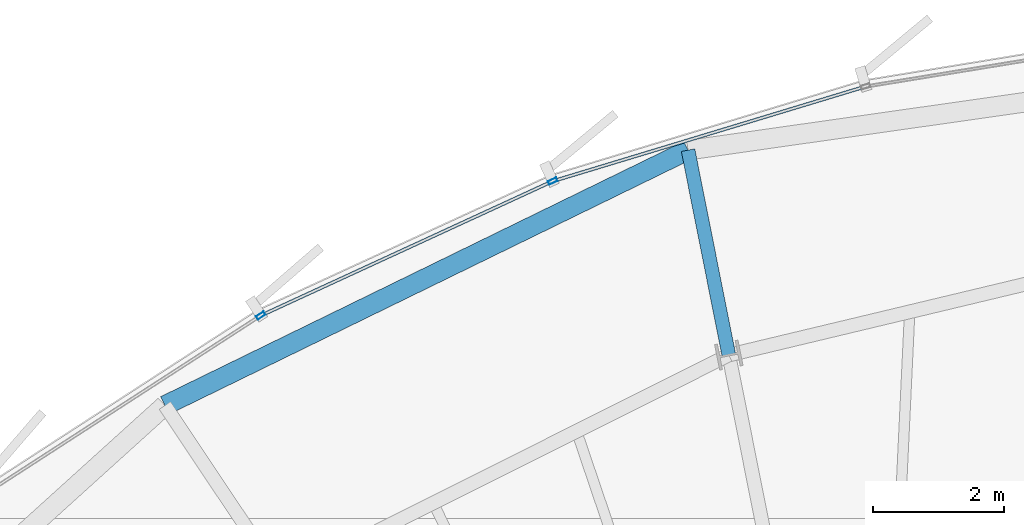
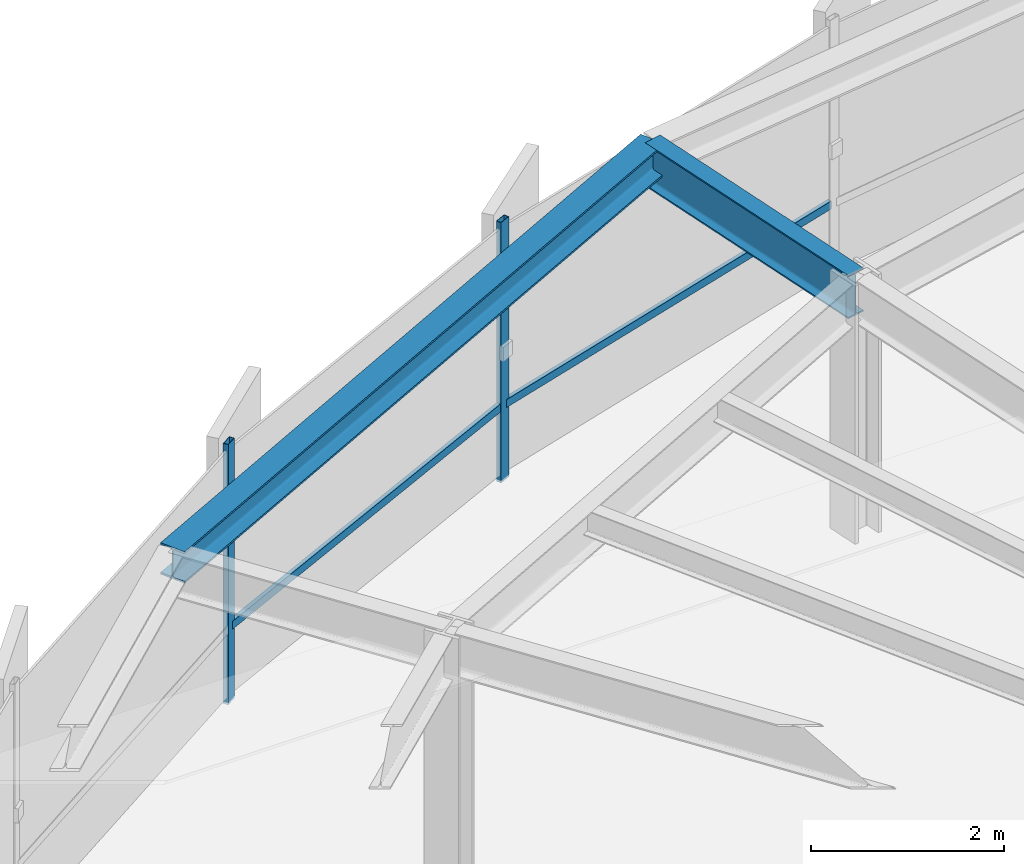
# One storey, part 21 of 36: 4 members, 2 beams, 1 element without a shape of its own.
"""IFC4 building model written with IfcOpenShell, lengths in metres."""

from ifc_helpers import new_model, si_unit, direction, frame, origin, origin_2d, place, context, subcontext, project, spatial, hollow_rectangle, i_section, extrude, source, transform, mapped, material, layer, layer_set, material_profile, profile_set, type_object, element, aggregate, save


model = new_model("IFC4")

# Units and contexts
model_context = context("Model", 3, precision=1e-05, world=origin(), true_north=direction((0.0, 1.0)))
body_context = subcontext(model_context, "Body", "Model", "MODEL_VIEW")
ifc_project = project(units=[si_unit("LENGTHUNIT", "METRE"), si_unit("AREAUNIT", "SQUARE_METRE"), si_unit("VOLUMEUNIT", "CUBIC_METRE"), si_unit("PLANEANGLEUNIT", "RADIAN"), si_unit("MASSUNIT", "GRAM", prefix="KILO"), si_unit("THERMODYNAMICTEMPERATUREUNIT", "KELVIN")], contexts=[model_context])

# Site, building, storey
site_placement = place(None, origin())
site = spatial("IfcSite", under=ifc_project, at=site_placement, CompositionType="ELEMENT")
building_placement = place(site_placement, origin())
building = spatial("IfcBuilding", under=site, at=building_placement, Name="Kethvar Cultural Tower", CompositionType="ELEMENT")
storey_placement = place(building_placement, frame((0.0, 0.0, 150.10009765625)))
storey = spatial("IfcBuildingStorey", under=building, at=storey_placement, Name="L38", CompositionType="ELEMENT", Elevation=150.10009765625)

# Beams
ifc_material_1 = material(Name="Steel S355J2", Category="steel")
ifc_material_profile_1 = material_profile(ifc_material_1, i_section(OverallWidth=0.2099609375, OverallDepth=0.550048828125, WebThickness=0.010986328125, FlangeThickness=0.01708984375, FilletRadius=0.02392578125, at=origin_2d()), Name="Steel S355J2 — IPE550")
ifc_profile_set_1 = profile_set([ifc_material_profile_1], Name="Steel S355J2 — IPE550")
beam_type_1 = type_object("IfcBeamType", Name="BM-IPE550", PredefinedType="BEAM", material=ifc_profile_set_1)
shared_shape_1 = source(origin(), body_context, "Body", "SweptSolid", [
    extrude(i_section(OverallWidth=0.2099609375, OverallDepth=0.550048828125, WebThickness=0.010986328125, FlangeThickness=0.01708984375, FilletRadius=0.02392578125, at=origin_2d()), origin(), (0.0, 0.0, 1.0), 3.199951171875),
])
beam_1_placement = place(storey_placement, frame((42.9189453125, 47.311279296875, 3.02294921875), z_axis=(-0.195088965533, 0.980785550224, 0.0), x_axis=(-0.980785550224, -0.195088965533, 0.0)))
element("IfcBeam", 1, at=beam_1_placement, inside=storey, type_object=beam_type_1, Name="L38 Perimeter Cantilever Beam RC-05", PredefinedType="BEAM", context=body_context, shape_type="MappedRepresentation", body=[
    mapped(shared_shape_1, transform((0.0, 0.0, 0.0), scale=1.0)),
])
ifc_material_profile_2 = material_profile(ifc_material_1, i_section(OverallWidth=0.300048828125, OverallDepth=0.39990234375, WebThickness=0.013427734375, FlangeThickness=0.02392578125, FilletRadius=0.027099609375, at=origin_2d()), Name="Steel S355J2 — HEB400")
ifc_profile_set_2 = profile_set([ifc_material_profile_2], Name="Steel S355J2 — HEB400")
beam_type_2 = type_object("IfcBeamType", Name="BM-SP400", PredefinedType="SPANDREL", material=ifc_profile_set_2)
shared_shape_2 = source(origin(), body_context, "Body", "SweptSolid", [
    extrude(i_section(OverallWidth=0.300048828125, OverallDepth=0.39990234375, WebThickness=0.013427734375, FlangeThickness=0.02392578125, FilletRadius=0.027099609375, at=origin_2d()), origin(), (0.0, 0.0, 1.0), 8.91845703125),
])
beam_2_placement = place(storey_placement, frame((42.294677734375, 50.44970703125, 3.097900390625), z_axis=(-0.898683713341, -0.438597290662, 0.0), x_axis=(0.438597290662, -0.898683713341, 0.0)))
element("IfcBeam", 2, at=beam_2_placement, inside=storey, type_object=beam_type_2, Name="L38 Perimeter Spandrel Beam SP-05", PredefinedType="SPANDREL", context=body_context, shape_type="MappedRepresentation", body=[
    mapped(shared_shape_2, transform((0.0, 0.0, 0.0), scale=1.0)),
])

# Curtain wall, members
ifc_material_2 = material(Name="Aluminium 6063-T6", Category="aluminium")
ifc_layer = layer(ifc_material_2, 0.179931640625, Name="Aluminium 6063-T6", Category="aluminium")
ifc_layer_set = layer_set([ifc_layer], Name="Aluminium 6063-T6 (180 mm)")
curtain_wall_type = type_object("IfcCurtainWallType", Name="CW-SYS-04-Z34", PredefinedType="NOTDEFINED", material=ifc_layer_set)
curtain_wall_placement = place(storey_placement, origin())
curtain_wall = element("IfcCurtainWall", 3, at=curtain_wall_placement, inside=storey, type_object=curtain_wall_type, Name="L38 Curtain Wall Run 02", PredefinedType="NOTDEFINED")
ifc_material_profile_3 = material_profile(ifc_material_2, hollow_rectangle(XDim=0.06005859375, YDim=0.139892578125, WallThickness=0.0048828125, at=origin_2d()), Name="Aluminium 6063-T6 — RHS140x60x5")
ifc_profile_set_3 = profile_set([ifc_material_profile_3], Name="Aluminium 6063-T6 — RHS140x60x5")
member_type_1 = type_object("IfcMemberType", Name="CW-SYS-04-Z34-MUL", PredefinedType="MULLION", material=ifc_profile_set_3)
shared_shape_3 = source(origin(), body_context, "Body", "SweptSolid", [
    extrude(hollow_rectangle(XDim=0.06005859375, YDim=0.139892578125, WallThickness=0.0048828125, at=origin_2d()), origin(), (0.0, 0.0, 1.0), 3.2998046875),
])
member_1_placement = place(storey_placement, frame((40.220703125, 49.974853515625, 0.0), z_axis=(0.0, 0.0, 1.0), x_axis=(0.418358562843, -0.908281956716, 0.0)))
member_1 = element("IfcMember", 4, at=member_1_placement, type_object=member_type_1, Name="CW-L38-R02 Mullion 3", PredefinedType="MULLION", context=body_context, shape_type="MappedRepresentation", body=[
    mapped(shared_shape_3, transform((0.0, 0.0, 0.0), scale=1.0)),
])
member_2_placement = place(storey_placement, frame((35.749755859375, 47.916748046875, 0.0), z_axis=(0.0, 0.0, 1.0), x_axis=(0.543203757882, -0.839600903658, 0.0)))
member_2 = element("IfcMember", 5, at=member_2_placement, type_object=member_type_1, Name="CW-L38-R02 Mullion 4", PredefinedType="MULLION", context=body_context, shape_type="MappedRepresentation", body=[
    mapped(shared_shape_3, transform((0.0, 0.0, 0.0), scale=1.0)),
])
ifc_material_profile_4 = material_profile(ifc_material_2, hollow_rectangle(XDim=0.050048828125, YDim=0.10009765625, WallThickness=0.00390625, at=origin_2d()), Name="Aluminium 6063-T6 — RHS100x50x4")
ifc_profile_set_4 = profile_set([ifc_material_profile_4], Name="Aluminium 6063-T6 — RHS100x50x4")
member_type_2 = type_object("IfcMemberType", Name="CW-SYS-04-Z34-TRN", PredefinedType="USERDEFINED", material=ifc_profile_set_4)
shared_shape_4 = source(origin(), body_context, "Body", "SweptSolid", [
    extrude(hollow_rectangle(XDim=0.050048828125, YDim=0.10009765625, WallThickness=0.00390625, at=origin_2d()), origin(), (0.0, 0.0, 1.0), 4.937744140625),
])
member_3_placement = place(storey_placement, frame((44.973876953125, 51.4130859375, 0.949951171875), z_axis=(-0.957075953494, -0.289837228878, 0.0), x_axis=(0.289837228878, -0.957075953494, 0.0)))
member_3 = element("IfcMember", 6, at=member_3_placement, type_object=member_type_2, Name="CW-L38-R02 Transom 2", ObjectType="TRANSOM", PredefinedType="USERDEFINED", context=body_context, shape_type="MappedRepresentation", body=[
    mapped(shared_shape_4, transform((0.0, 0.0, 0.0), scale=1.0)),
])
shared_shape_5 = source(origin(), body_context, "Body", "SweptSolid", [
    extrude(hollow_rectangle(XDim=0.050048828125, YDim=0.10009765625, WallThickness=0.00390625, at=origin_2d()), origin(), (0.0, 0.0, 1.0), 4.85107421875),
])
member_4_placement = place(storey_placement, frame((40.181640625, 49.956787109375, 0.949951171875), z_axis=(-0.90828169219, -0.418359137144, 0.0), x_axis=(0.418359137144, -0.90828169219, 0.0)))
member_4 = element("IfcMember", 7, at=member_4_placement, type_object=member_type_2, Name="CW-L38-R02 Transom 3", ObjectType="TRANSOM", PredefinedType="USERDEFINED", context=body_context, shape_type="MappedRepresentation", body=[
    mapped(shared_shape_5, transform((0.0, 0.0, 0.0), scale=1.0)),
])
aggregate(curtain_wall, [member_1, member_2, member_3, member_4])

save(model, "model.ifc")
